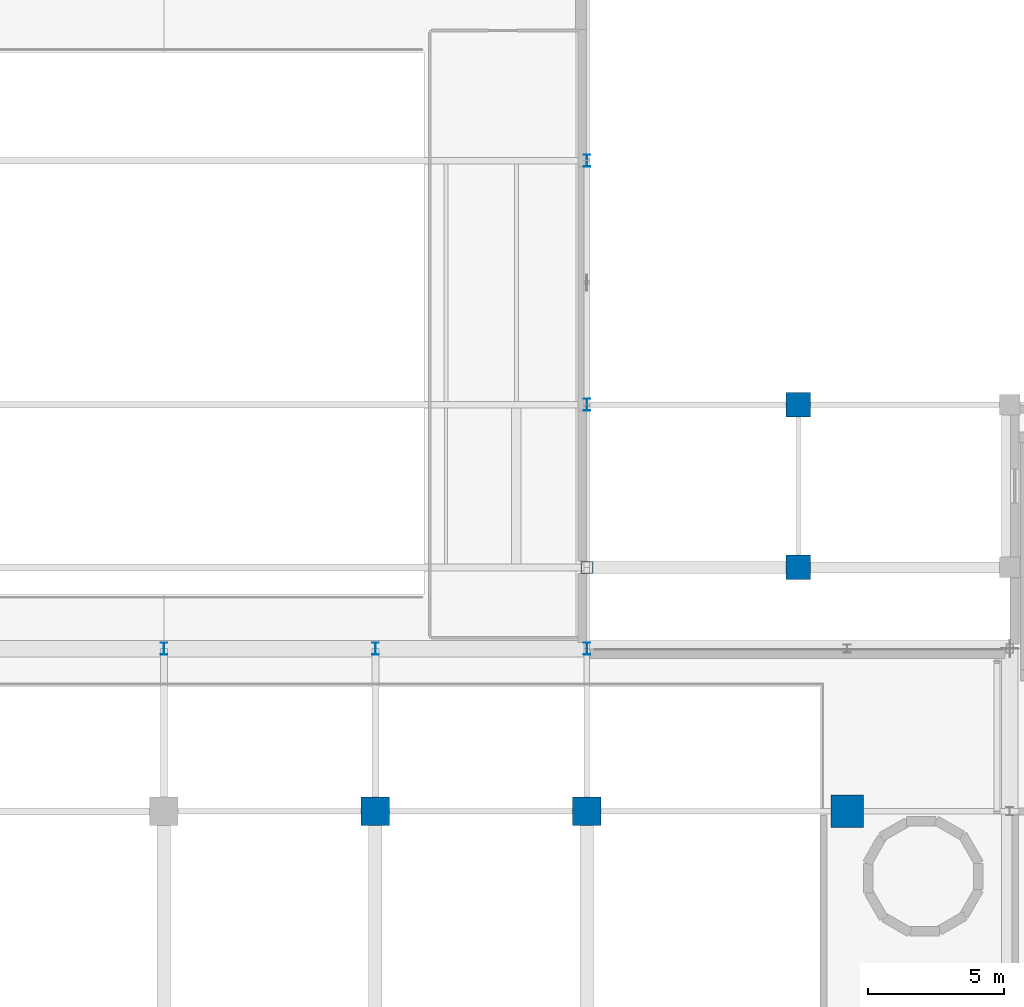
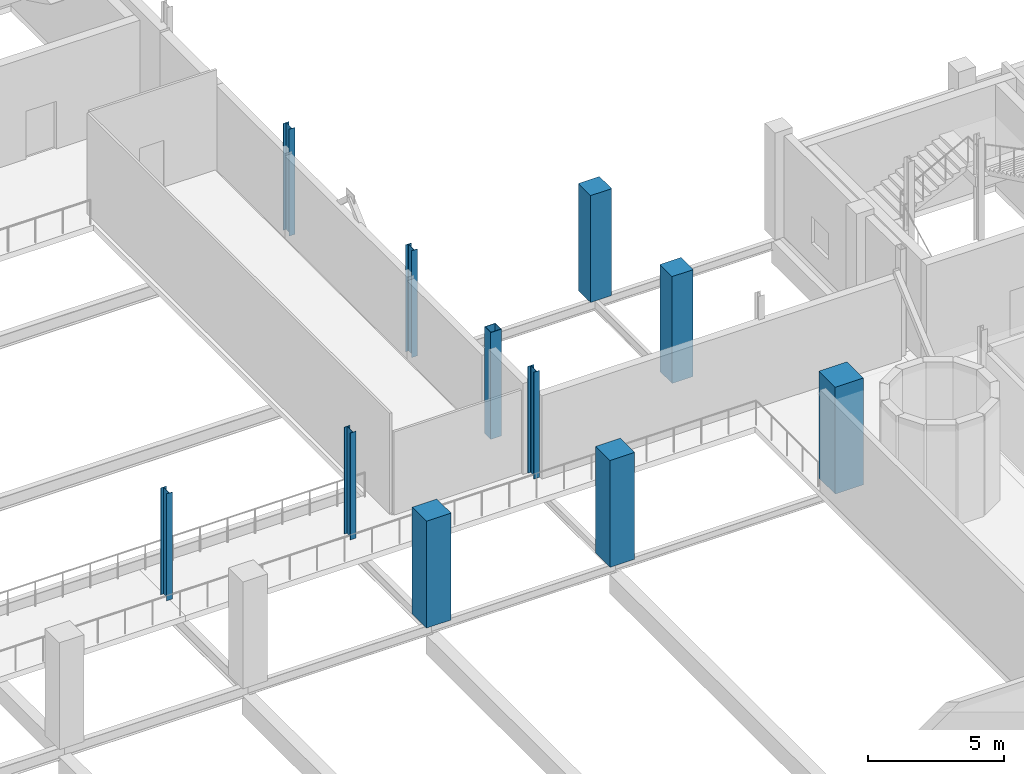
# One storey, part 6 of 102: 11 columns.
"""IFC4 building model written with IfcOpenShell, lengths in metres."""

from ifc_helpers import new_model, si_unit, derived_unit, direction, frame, origin, origin_2d, place, context, subcontext, project, spatial, rectangle, hollow_rectangle, i_section, extrude, material, material_profile, profile_set, type_object, element, save


model = new_model("IFC4")

# Units and contexts
model_context = context("Model", 3, precision=1e-05, world=origin(), true_north=direction((0.0, 1.0)))
body_context = subcontext(model_context, "Body", "Model", "MODEL_VIEW")
ifc_project = project(units=[si_unit("LENGTHUNIT", "METRE"), si_unit("AREAUNIT", "SQUARE_METRE"), si_unit("VOLUMEUNIT", "CUBIC_METRE"), si_unit("PLANEANGLEUNIT", "RADIAN"), si_unit("MASSUNIT", "GRAM", prefix="KILO"), derived_unit("THERMALTRANSMITTANCEUNIT", [(si_unit("POWERUNIT", "WATT"), 1), (si_unit("LENGTHUNIT", "METRE"), -2), (si_unit("THERMODYNAMICTEMPERATUREUNIT", "KELVIN"), -1)])], contexts=[model_context])

# Site, building, storey
site_placement = place(None, origin())
site = spatial("IfcSite", under=ifc_project, at=site_placement, CompositionType="ELEMENT")
building_placement = place(site_placement, origin())
building = spatial("IfcBuilding", under=site, at=building_placement, Name="Nallur Shell Playhouse", CompositionType="ELEMENT")
storey_placement = place(building_placement, frame((0.0, 0.0, 15.0)))
storey = spatial("IfcBuildingStorey", under=building, at=storey_placement, Name="L04", CompositionType="ELEMENT", Elevation=15.0)

# Columns
ifc_material_1 = material(Name="Concrete M45", Category="concrete")
ifc_material_profile_1 = material_profile(ifc_material_1, rectangle(XDim=1.050048828125, YDim=1.050048828125, at=origin_2d()), Name="RC 1050x1050")
ifc_profile_set_1 = profile_set([ifc_material_profile_1], Name="Concrete M45")
column_type_1 = type_object("IfcColumnType", Name="CL-RC-1050", PredefinedType="COLUMN", material=ifc_profile_set_1)
for number, where, z_axis, x_axis, name in (
    (1, (95.199951171875, 41.0, 0.0), (0.0, 0.0, 1.0), (1.0, 0.0, 0.0), "Column MC4N (L04)"),
    (2, (103.0, 41.0, 0.0), (0.0, 0.0, 1.0), (1.0, 0.0, 0.0), "Column MC5N (L04)"),
):
    element("IfcColumn", number, at=place(storey_placement, frame(where, z_axis=z_axis, x_axis=x_axis)), inside=storey, type_object=column_type_1, Name=name, PredefinedType="COLUMN", context=body_context, shape_type="SweptSolid", body=[
        extrude(rectangle(XDim=1.050048828125, YDim=1.050048828125, at=origin_2d()), origin(), (0.0, 0.0, 1.0), 4.800048828125),
    ])
ifc_material_profile_2 = material_profile(ifc_material_1, rectangle(XDim=1.199951171875, YDim=1.199951171875, at=origin_2d()), Name="RC 1200x1200")
ifc_profile_set_2 = profile_set([ifc_material_profile_2], Name="Concrete M45")
column_type_2 = type_object("IfcColumnType", Name="CL-RC-1200", PredefinedType="COLUMN", material=ifc_profile_set_2)
column_1_placement = place(storey_placement, frame((112.60009765625, 41.0, 0.0), z_axis=(0.0, 0.0, 1.0), x_axis=(1.0, 0.0, 0.0)))
element("IfcColumn", 3, at=column_1_placement, inside=storey, type_object=column_type_2, Name="Column MC6N (L04)", PredefinedType="COLUMN", context=body_context, shape_type="SweptSolid", body=[
    extrude(rectangle(XDim=1.199951171875, YDim=1.199951171875, at=origin_2d()), origin(), (0.0, 0.0, 1.0), 4.800048828125),
])
ifc_material_2 = material(Name="Concrete M40", Category="concrete")
ifc_material_profile_3 = material_profile(ifc_material_2, rectangle(XDim=0.89990234375, YDim=0.89990234375, at=origin_2d()), Name="RC 900x900")
ifc_profile_set_3 = profile_set([ifc_material_profile_3], Name="Concrete M40")
column_type_3 = type_object("IfcColumnType", Name="CL-RC-900", PredefinedType="COLUMN", material=ifc_profile_set_3)
for number, where, z_axis, x_axis, name in (
    (4, (110.800048828125, 50.0, 0.0), (0.0, 0.0, 1.0), (1.0, 0.0, 0.0), "Column 14-F (L04)"),
    (5, (110.800048828125, 56.0, 0.0), (0.0, 0.0, 1.0), (1.0, 0.0, 0.0), "Column 14-G (L04)"),
):
    element("IfcColumn", number, at=place(storey_placement, frame(where, z_axis=z_axis, x_axis=x_axis)), inside=storey, type_object=column_type_3, Name=name, PredefinedType="COLUMN", context=body_context, shape_type="SweptSolid", body=[
        extrude(rectangle(XDim=0.89990234375, YDim=0.89990234375, at=origin_2d()), origin(), (0.0, 0.0, 1.0), 4.800048828125),
    ])
ifc_material_3 = material(Name="Steel E350", Category="steel")
ifc_material_profile_4 = material_profile(ifc_material_3, hollow_rectangle(XDim=0.449951171875, YDim=0.449951171875, WallThickness=0.02001953125, at=origin_2d()), Name="BOX 450x450x20")
ifc_profile_set_4 = profile_set([ifc_material_profile_4], Name="Steel E350")
column_type_4 = type_object("IfcColumnType", Name="CL-ST-BOX450", PredefinedType="COLUMN", material=ifc_profile_set_4)
column_2_placement = place(storey_placement, frame((103.0, 50.0, 0.0), z_axis=(0.0, 0.0, 1.0), x_axis=(1.0, 0.0, 0.0)))
element("IfcColumn", 6, at=column_2_placement, inside=storey, type_object=column_type_4, Name="Column 13-F (L04)", PredefinedType="COLUMN", context=body_context, shape_type="SweptSolid", body=[
    extrude(hollow_rectangle(XDim=0.449951171875, YDim=0.449951171875, WallThickness=0.02001953125, at=origin_2d()), origin(), (0.0, 0.0, 1.0), 4.800048828125),
])
ifc_material_profile_5 = material_profile(ifc_material_3, i_section(OverallWidth=0.25, OverallDepth=0.449951171875, WebThickness=0.01123046875, FlangeThickness=0.013671875, FilletRadius=0.014892578125, at=origin_2d()), Name="ISHB 450")
ifc_profile_set_5 = profile_set([ifc_material_profile_5], Name="Steel E350")
column_type_5 = type_object("IfcColumnType", Name="CL-ST-ISHB450", PredefinedType="COLUMN", material=ifc_profile_set_5)
for number, where, z_axis, x_axis, name in (
    (7, (103.0, 56.0, 0.0), (0.0, 0.0, 1.0), (1.0, 0.0, 0.0), "Column 13-G (L04)"),
    (8, (103.0, 65.0, 0.0), (0.0, 0.0, 1.0), (1.0, 0.0, 0.0), "Column 13-H (L04)"),
    (9, (87.39990234375, 47.0, 0.0), (0.0, 0.0, 1.0), (1.0, 0.0, 0.0), "Column PROSC-4 (L04)"),
    (10, (95.199951171875, 47.0, 0.0), (0.0, 0.0, 1.0), (1.0, 0.0, 0.0), "Column PROSC-5 (L04)"),
    (11, (103.0, 47.0, 0.0), (0.0, 0.0, 1.0), (1.0, 0.0, 0.0), "Column PROSC-6 (L04)"),
):
    element("IfcColumn", number, at=place(storey_placement, frame(where, z_axis=z_axis, x_axis=x_axis)), inside=storey, type_object=column_type_5, Name=name, PredefinedType="COLUMN", context=body_context, shape_type="SweptSolid", body=[
        extrude(i_section(OverallWidth=0.25, OverallDepth=0.449951171875, WebThickness=0.01123046875, FlangeThickness=0.013671875, FilletRadius=0.014892578125, at=origin_2d()), origin(), (0.0, 0.0, 1.0), 4.800048828125),
    ])

save(model, "model.ifc")
